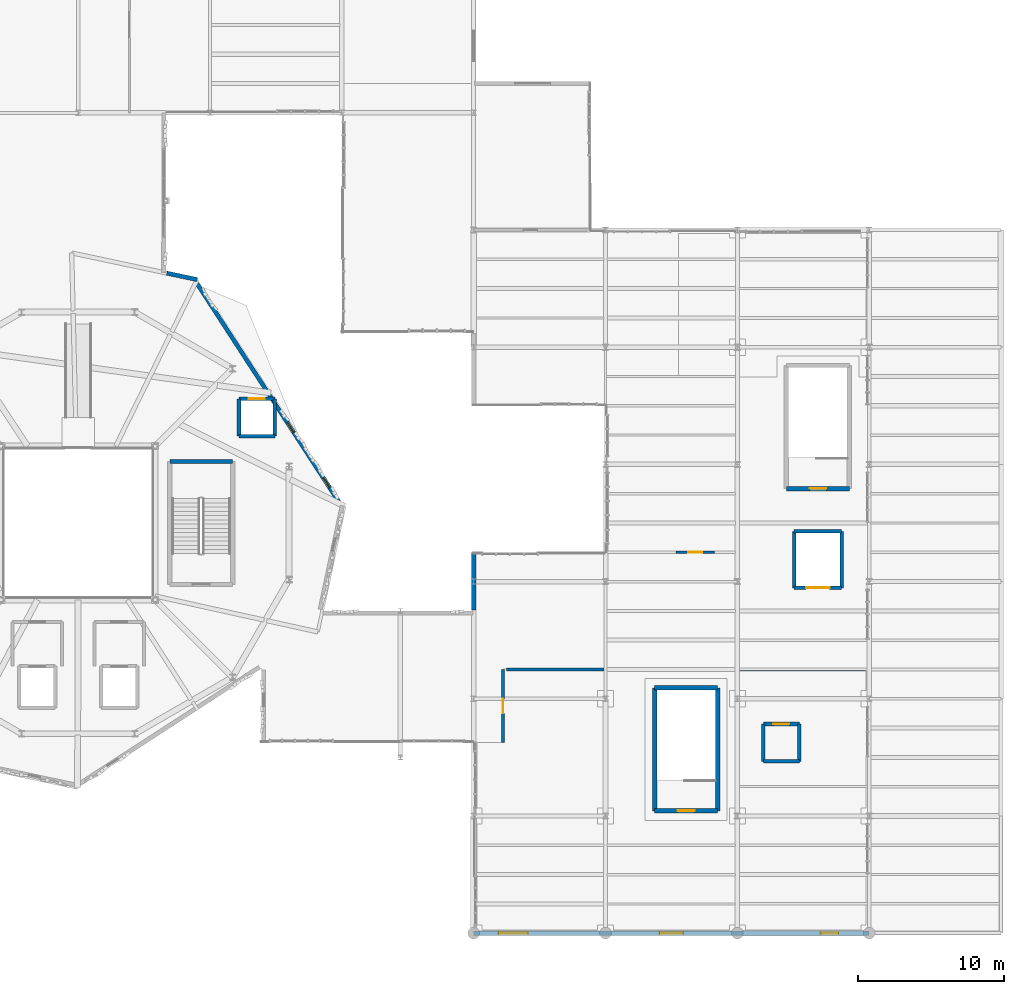
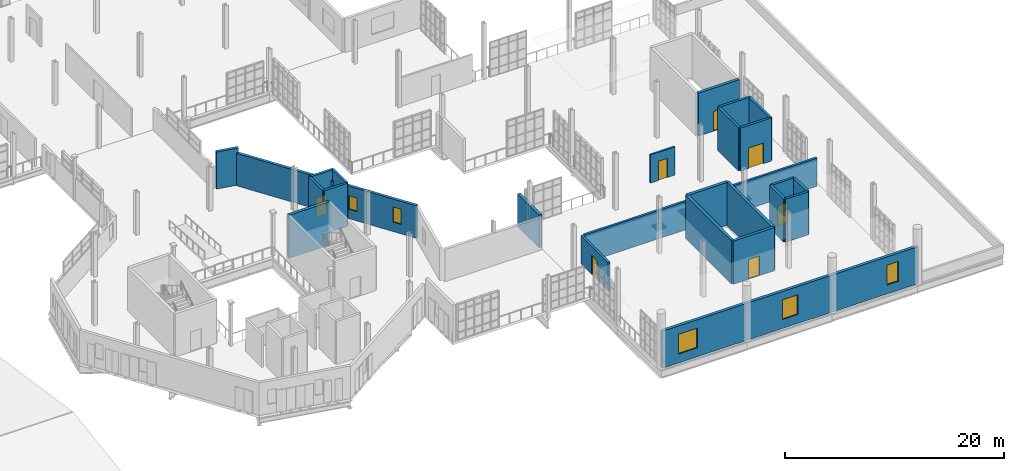
# One storey, part 104 of 118: 25 walls, 7 doors, 5 windows, 12 openings.
"""IFC4 building model written with IfcOpenShell, lengths in metres."""

from ifc_helpers import new_model, si_unit, direction, frame, frame_2d, origin, place, context, subcontext, project, spatial, rectangle, extrude, material, layer, layer_set, type_object, element, fill, save


model = new_model("IFC4")

# Units and contexts
model_context = context("Model", 3, precision=1e-05, world=origin(), true_north=direction((0.0, 1.0)))
body_context = subcontext(model_context, "Body", "Model", "MODEL_VIEW")
ifc_project = project(units=[si_unit("LENGTHUNIT", "METRE"), si_unit("AREAUNIT", "SQUARE_METRE"), si_unit("VOLUMEUNIT", "CUBIC_METRE"), si_unit("PLANEANGLEUNIT", "RADIAN"), si_unit("MASSUNIT", "GRAM", prefix="KILO"), si_unit("THERMODYNAMICTEMPERATUREUNIT", "KELVIN"), si_unit("POWERUNIT", "WATT")], contexts=[model_context])

# Site, building, storey
site_placement = place(None, origin())
site = spatial("IfcSite", under=ifc_project, at=site_placement, CompositionType="ELEMENT")
building_placement = place(site_placement, origin())
building = spatial("IfcBuilding", under=site, at=building_placement, Name="Zelmaris Science Centre", CompositionType="ELEMENT")
storey_placement = place(building_placement, frame((0.0, 0.0, 15.60009765625)))
storey = spatial("IfcBuildingStorey", under=building, at=storey_placement, Name="L03", CompositionType="ELEMENT", Elevation=15.60009765625)

# Wall
ifc_material_1 = material(Name="Concrete C40/50", Category="concrete")
ifc_layer_1 = layer(ifc_material_1, 0.300048828125, Name="Concrete C40/50")
ifc_layer_set_1 = layer_set([ifc_layer_1], Name="Concrete C40/50")
wall_type_1 = type_object("IfcWallType", Name="Core Shear Wall CW-S1 300mm", PredefinedType="SOLIDWALL", material=ifc_layer_set_1)
wall_1_placement = place(storey_placement, frame((91.550048828125, 40.199951171875, 0.0), z_axis=(0.0, 0.0, 1.0), x_axis=(-1.0, 0.0, 0.0)))
element("IfcWall", 1, at=wall_1_placement, inside=storey, type_object=wall_type_1, Name="L03 ST-2 core shear wall far", PredefinedType="SOLIDWALL", context=body_context, shape_type="SweptSolid", body=[
    extrude(rectangle(XDim=4.300048828125, YDim=0.300048828125, at=frame_2d((2.14990234375, 0.0))), origin(), (0.0, 0.0, 1.0), 4.7998046875),
])

# Wall, opening, door
wall_2_placement = place(storey_placement, frame((124.64990234375, 16.35009765625, 0.0), z_axis=(0.0, 0.0, 1.0), x_axis=(-1.0, 0.0, 0.0)))
wall_2 = element("IfcWall", 2, at=wall_2_placement, inside=storey, type_object=wall_type_1, Name="L03 ST-4 core shear wall near", PredefinedType="SOLIDWALL", context=body_context, shape_type="SweptSolid", body=[
    extrude(rectangle(XDim=4.2998046875, YDim=0.300048828125, at=frame_2d((2.14990234375, 0.0))), origin(), (0.0, 0.0, 1.0), 4.7998046875),
])
opening_1_placement = place(wall_2_placement, frame((1.574951171875, 0.0, 0.0)))
opening_1 = element("IfcOpeningElement", 3, at=opening_1_placement, cuts=wall_2, Name="Opening D-FD90", PredefinedType="OPENING", context=body_context, shape_type="SweptSolid", body=[
    extrude(rectangle(XDim=1.14990234375, YDim=2.199951171875, at=frame_2d((0.574951171875, 1.10009765625))), frame((0.0, 0.159912109375, 0.0), z_axis=(0.0, -1.0, 0.0), x_axis=(1.0, 0.0, 0.0)), (0.0, 0.0, 1.0), 0.320068359375),
])
ifc_material_2 = material(Name="Steel ASTM A36", Category="steel")
door_type_1 = type_object("IfcDoorType", Name="Interior Door D-FD90 1150x2200", OperationType="NOTDEFINED", PredefinedType="DOOR", material=ifc_material_2)
door_1_placement = place(opening_1_placement, origin())
door_1 = element("IfcDoor", 4, at=door_1_placement, inside=storey, type_object=door_type_1, Name="L03 ST-4 exit stair fire door", OperationType="SINGLE_SWING_RIGHT", OverallHeight=2.199951171875, OverallWidth=1.14990234375, PredefinedType="DOOR", context=body_context, shape_type="SweptSolid", body=[
    extrude(rectangle(XDim=1.14990234375, YDim=2.199951171875, at=frame_2d((0.574951171875, 1.10009765625))), frame((0.0, 0.02490234375, 0.0), z_axis=(0.0, -1.0, 0.0), x_axis=(1.0, 0.0, 0.0)), (0.0, 0.0, 1.0), 0.050048828125),
])
fill(opening_1, door_1)

# Walls
wall_3_placement = place(storey_placement, frame((124.64990234375, 16.35009765625, 0.0), z_axis=(0.0, 0.0, 1.0), x_axis=(0.0, 1.0, 0.0)))
element("IfcWall", 5, at=wall_3_placement, inside=storey, type_object=wall_type_1, Name="L03 ST-4 core shear wall east", PredefinedType="SOLIDWALL", context=body_context, shape_type="SweptSolid", body=[
    extrude(rectangle(XDim=8.39990234375, YDim=0.300048828125, at=frame_2d((4.199951171875, 0.0))), origin(), (0.0, 0.0, 1.0), 4.7998046875),
])
wall_4_placement = place(storey_placement, frame((124.64990234375, 24.75, 0.0), z_axis=(0.0, 0.0, 1.0), x_axis=(-1.0, 0.0, 0.0)))
element("IfcWall", 6, at=wall_4_placement, inside=storey, type_object=wall_type_1, Name="L03 ST-4 core shear wall far", PredefinedType="SOLIDWALL", context=body_context, shape_type="SweptSolid", body=[
    extrude(rectangle(XDim=4.2998046875, YDim=0.300048828125, at=frame_2d((2.14990234375, 0.0))), origin(), (0.0, 0.0, 1.0), 4.7998046875),
])
wall_5_placement = place(storey_placement, frame((120.35009765625, 16.35009765625, 0.0), z_axis=(0.0, 0.0, 1.0), x_axis=(0.0, 1.0, 0.0)))
element("IfcWall", 7, at=wall_5_placement, inside=storey, type_object=wall_type_1, Name="L03 ST-4 core shear wall west", PredefinedType="SOLIDWALL", context=body_context, shape_type="SweptSolid", body=[
    extrude(rectangle(XDim=8.39990234375, YDim=0.300048828125, at=frame_2d((4.199951171875, 0.0))), origin(), (0.0, 0.0, 1.0), 4.7998046875),
])

# Wall, opening, door
wall_6_placement = place(storey_placement, frame((133.64990234375, 38.35009765625, 0.0), z_axis=(0.0, 0.0, 1.0), x_axis=(-1.0, 0.0, 0.0)))
wall_6 = element("IfcWall", 8, at=wall_6_placement, inside=storey, type_object=wall_type_1, Name="L03 ST-5 core shear wall near", PredefinedType="SOLIDWALL", context=body_context, shape_type="SweptSolid", body=[
    extrude(rectangle(XDim=4.2998046875, YDim=0.300048828125, at=frame_2d((2.14990234375, 0.0))), origin(), (0.0, 0.0, 1.0), 4.7998046875),
])
opening_2_placement = place(wall_6_placement, frame((1.574951171875, 0.0, 0.0)))
opening_2 = element("IfcOpeningElement", 9, at=opening_2_placement, cuts=wall_6, Name="Opening D-FD90", PredefinedType="OPENING", context=body_context, shape_type="SweptSolid", body=[
    extrude(rectangle(XDim=1.14990234375, YDim=2.199951171875, at=frame_2d((0.574951171875, 1.10009765625))), frame((0.0, 0.159912109375, 0.0), z_axis=(0.0, -1.0, 0.0), x_axis=(1.0, 0.0, 0.0)), (0.0, 0.0, 1.0), 0.320068359375),
])
door_2_placement = place(opening_2_placement, origin())
door_2 = element("IfcDoor", 10, at=door_2_placement, inside=storey, type_object=door_type_1, Name="L03 ST-5 exit stair fire door", OperationType="SINGLE_SWING_LEFT", OverallHeight=2.199951171875, OverallWidth=1.14990234375, PredefinedType="DOOR", context=body_context, shape_type="SweptSolid", body=[
    extrude(rectangle(XDim=1.14990234375, YDim=2.199951171875, at=frame_2d((0.574951171875, 1.10009765625))), frame((0.0, 0.02490234375, 0.0), z_axis=(0.0, -1.0, 0.0), x_axis=(1.0, 0.0, 0.0)), (0.0, 0.0, 1.0), 0.050048828125),
])
fill(opening_2, door_2)

# Walls
ifc_layer_2 = layer(ifc_material_1, 0.25, Name="Concrete C40/50")
ifc_layer_set_2 = layer_set([ifc_layer_2], Name="Concrete C40/50")
wall_type_2 = type_object("IfcWallType", Name="Core Shear Wall CW-S2 250mm", PredefinedType="SOLIDWALL", material=ifc_layer_set_2)
wall_7_placement = place(storey_placement, frame((91.97509765625, 41.925048828125, 0.0), z_axis=(0.0, 0.0, 1.0), x_axis=(1.0, 0.0, 0.0)))
element("IfcWall", 11, at=wall_7_placement, inside=storey, type_object=wall_type_2, Name="L03 LP-01 lift shaft wall -y", PredefinedType="SOLIDWALL", context=body_context, shape_type="SweptSolid", body=[
    extrude(rectangle(XDim=2.449951171875, YDim=0.25, at=frame_2d((1.22509765625, 0.0))), origin(), (0.0, 0.0, 1.0), 4.7998046875),
])
wall_8_placement = place(storey_placement, frame((94.425048828125, 41.925048828125, 0.0), z_axis=(0.0, 0.0, 1.0), x_axis=(0.0, 1.0, 0.0)))
element("IfcWall", 12, at=wall_8_placement, inside=storey, type_object=wall_type_2, Name="L03 LP-01 lift shaft wall +x", PredefinedType="SOLIDWALL", context=body_context, shape_type="SweptSolid", body=[
    extrude(rectangle(XDim=2.550048828125, YDim=0.25, at=frame_2d((1.27490234375, 0.0))), origin(), (0.0, 0.0, 1.0), 4.7998046875),
])

# Wall, opening, door
wall_9_placement = place(storey_placement, frame((94.425048828125, 44.47509765625, 0.0), z_axis=(0.0, 0.0, 1.0), x_axis=(-1.0, 0.0, 0.0)))
wall_9 = element("IfcWall", 13, at=wall_9_placement, inside=storey, type_object=wall_type_2, Name="L03 LP-01 lift shaft wall +y", PredefinedType="SOLIDWALL", context=body_context, shape_type="SweptSolid", body=[
    extrude(rectangle(XDim=2.449951171875, YDim=0.25, at=frame_2d((1.22509765625, 0.0))), origin(), (0.0, 0.0, 1.0), 4.7998046875),
])
opening_3_placement = place(wall_9_placement, frame((0.675048828125, 0.0, 0.0)))
opening_3 = element("IfcOpeningElement", 14, at=opening_3_placement, cuts=wall_9, Name="Opening LD-01", PredefinedType="OPENING", context=body_context, shape_type="SweptSolid", body=[
    extrude(rectangle(XDim=1.10009765625, YDim=2.199951171875, at=frame_2d((0.550048828125, 1.10009765625))), frame((0.0, 0.135009765625, 0.0), z_axis=(0.0, -1.0, 0.0), x_axis=(1.0, 0.0, 0.0)), (0.0, 0.0, 1.0), 0.27001953125),
])
door_type_2 = type_object("IfcDoorType", Name="Interior Door LD-01 1100x2200", OperationType="SLIDING_TO_LEFT", PredefinedType="DOOR", material=ifc_material_2)
door_3_placement = place(opening_3_placement, origin())
door_3 = element("IfcDoor", 15, at=door_3_placement, inside=storey, type_object=door_type_2, Name="Landing door LD-LP-01-L03", OperationType="SLIDING_TO_LEFT", OverallHeight=2.199951171875, OverallWidth=1.10009765625, PredefinedType="DOOR", context=body_context, shape_type="SweptSolid", body=[
    extrude(rectangle(XDim=1.10009765625, YDim=2.199951171875, at=frame_2d((0.550048828125, 1.10009765625))), frame((0.0, 0.02490234375, 0.0), z_axis=(0.0, -1.0, 0.0), x_axis=(1.0, 0.0, 0.0)), (0.0, 0.0, 1.0), 0.050048828125),
])
fill(opening_3, door_3)

# Walls
wall_10_placement = place(storey_placement, frame((91.97509765625, 44.47509765625, 0.0), z_axis=(0.0, 0.0, 1.0), x_axis=(0.0, -1.0, 0.0)))
element("IfcWall", 16, at=wall_10_placement, inside=storey, type_object=wall_type_2, Name="L03 LP-01 lift shaft wall -x", PredefinedType="SOLIDWALL", context=body_context, shape_type="SweptSolid", body=[
    extrude(rectangle(XDim=2.550048828125, YDim=0.25, at=frame_2d((1.27490234375, 0.0))), origin(), (0.0, 0.0, 1.0), 4.7998046875),
])
wall_11_placement = place(storey_placement, frame((127.77490234375, 19.72509765625, 0.0), z_axis=(0.0, 0.0, 1.0), x_axis=(1.0, 0.0, 0.0)))
element("IfcWall", 17, at=wall_11_placement, inside=storey, type_object=wall_type_2, Name="L03 LP-02 lift shaft wall -y", PredefinedType="SOLIDWALL", context=body_context, shape_type="SweptSolid", body=[
    extrude(rectangle(XDim=2.4501953125, YDim=0.25, at=frame_2d((1.22509765625, 0.0))), origin(), (0.0, 0.0, 1.0), 4.7998046875),
])
wall_12_placement = place(storey_placement, frame((130.22509765625, 19.72509765625, 0.0), z_axis=(0.0, 0.0, 1.0), x_axis=(0.0, 1.0, 0.0)))
element("IfcWall", 18, at=wall_12_placement, inside=storey, type_object=wall_type_2, Name="L03 LP-02 lift shaft wall +x", PredefinedType="SOLIDWALL", context=body_context, shape_type="SweptSolid", body=[
    extrude(rectangle(XDim=2.5498046875, YDim=0.25, at=frame_2d((1.27490234375, 0.0))), origin(), (0.0, 0.0, 1.0), 4.7998046875),
])

# Wall, opening, door
wall_13_placement = place(storey_placement, frame((130.22509765625, 22.27490234375, 0.0), z_axis=(0.0, 0.0, 1.0), x_axis=(-1.0, 0.0, 0.0)))
wall_13 = element("IfcWall", 19, at=wall_13_placement, inside=storey, type_object=wall_type_2, Name="L03 LP-02 lift shaft wall +y", PredefinedType="SOLIDWALL", context=body_context, shape_type="SweptSolid", body=[
    extrude(rectangle(XDim=2.4501953125, YDim=0.25, at=frame_2d((1.22509765625, 0.0))), origin(), (0.0, 0.0, 1.0), 4.7998046875),
])
opening_4_placement = place(wall_13_placement, frame((0.675048828125, 0.0, 0.0)))
opening_4 = element("IfcOpeningElement", 20, at=opening_4_placement, cuts=wall_13, Name="Opening LD-01", PredefinedType="OPENING", context=body_context, shape_type="SweptSolid", body=[
    extrude(rectangle(XDim=1.10009765625, YDim=2.199951171875, at=frame_2d((0.550048828125, 1.10009765625))), frame((0.0, 0.135009765625, 0.0), z_axis=(0.0, -1.0, 0.0), x_axis=(1.0, 0.0, 0.0)), (0.0, 0.0, 1.0), 0.27001953125),
])
door_4_placement = place(opening_4_placement, origin())
door_4 = element("IfcDoor", 21, at=door_4_placement, inside=storey, type_object=door_type_2, Name="Landing door LD-LP-02-L03", OperationType="SLIDING_TO_LEFT", OverallHeight=2.199951171875, OverallWidth=1.10009765625, PredefinedType="DOOR", context=body_context, shape_type="SweptSolid", body=[
    extrude(rectangle(XDim=1.10009765625, YDim=2.199951171875, at=frame_2d((0.550048828125, 1.10009765625))), frame((0.0, 0.02490234375, 0.0), z_axis=(0.0, -1.0, 0.0), x_axis=(1.0, 0.0, 0.0)), (0.0, 0.0, 1.0), 0.050048828125),
])
fill(opening_4, door_4)

# Wall
wall_14_placement = place(storey_placement, frame((127.77490234375, 22.27490234375, 0.0), z_axis=(0.0, 0.0, 1.0), x_axis=(0.0, -1.0, 0.0)))
element("IfcWall", 22, at=wall_14_placement, inside=storey, type_object=wall_type_2, Name="L03 LP-02 lift shaft wall -x", PredefinedType="SOLIDWALL", context=body_context, shape_type="SweptSolid", body=[
    extrude(rectangle(XDim=2.5498046875, YDim=0.25, at=frame_2d((1.27490234375, 0.0))), origin(), (0.0, 0.0, 1.0), 4.7998046875),
])

# Wall, opening, door
wall_15_placement = place(storey_placement, frame((129.875, 31.574951171875, 0.0), z_axis=(0.0, 0.0, 1.0), x_axis=(1.0, 0.0, 0.0)))
wall_15 = element("IfcWall", 23, at=wall_15_placement, inside=storey, type_object=wall_type_2, Name="L03 GL-01 lift shaft wall -y", PredefinedType="SOLIDWALL", context=body_context, shape_type="SweptSolid", body=[
    extrude(rectangle(XDim=3.25, YDim=0.25, at=frame_2d((1.625, 0.0))), origin(), (0.0, 0.0, 1.0), 4.7998046875),
])
opening_5_placement = place(wall_15_placement, frame((0.824951171875, 0.0, 0.0)))
opening_5 = element("IfcOpeningElement", 24, at=opening_5_placement, cuts=wall_15, Name="Opening LD-02", PredefinedType="OPENING", context=body_context, shape_type="SweptSolid", body=[
    extrude(rectangle(XDim=1.60009765625, YDim=2.300048828125, at=frame_2d((0.800048828125, 1.14990234375))), frame((0.0, 0.135009765625, 0.0), z_axis=(0.0, -1.0, 0.0), x_axis=(1.0, 0.0, 0.0)), (0.0, 0.0, 1.0), 0.27001953125),
])
door_type_3 = type_object("IfcDoorType", Name="Interior Door LD-02 1600x2300", OperationType="SLIDING_TO_LEFT", PredefinedType="DOOR", material=ifc_material_2)
door_5_placement = place(opening_5_placement, origin())
door_5 = element("IfcDoor", 25, at=door_5_placement, inside=storey, type_object=door_type_3, Name="Landing door LD-GL-01-L03", OperationType="SLIDING_TO_LEFT", OverallHeight=2.300048828125, OverallWidth=1.60009765625, PredefinedType="DOOR", context=body_context, shape_type="SweptSolid", body=[
    extrude(rectangle(XDim=1.60009765625, YDim=2.300048828125, at=frame_2d((0.800048828125, 1.14990234375))), frame((0.0, 0.02490234375, 0.0), z_axis=(0.0, -1.0, 0.0), x_axis=(1.0, 0.0, 0.0)), (0.0, 0.0, 1.0), 0.050048828125),
])
fill(opening_5, door_5)

# Walls
wall_16_placement = place(storey_placement, frame((133.125, 31.574951171875, 0.0), z_axis=(0.0, 0.0, 1.0), x_axis=(0.0, 1.0, 0.0)))
element("IfcWall", 26, at=wall_16_placement, inside=storey, type_object=wall_type_2, Name="L03 GL-01 lift shaft wall +x", PredefinedType="SOLIDWALL", context=body_context, shape_type="SweptSolid", body=[
    extrude(rectangle(XDim=3.85009765625, YDim=0.25, at=frame_2d((1.925048828125, 0.0))), origin(), (0.0, 0.0, 1.0), 4.7998046875),
])
wall_17_placement = place(storey_placement, frame((133.125, 35.425048828125, 0.0), z_axis=(0.0, 0.0, 1.0), x_axis=(-1.0, 0.0, 0.0)))
element("IfcWall", 27, at=wall_17_placement, inside=storey, type_object=wall_type_2, Name="L03 GL-01 lift shaft wall +y", PredefinedType="SOLIDWALL", context=body_context, shape_type="SweptSolid", body=[
    extrude(rectangle(XDim=3.25, YDim=0.25, at=frame_2d((1.625, 0.0))), origin(), (0.0, 0.0, 1.0), 4.7998046875),
])
wall_18_placement = place(storey_placement, frame((129.875, 35.425048828125, 0.0), z_axis=(0.0, 0.0, 1.0), x_axis=(0.0, -1.0, 0.0)))
element("IfcWall", 28, at=wall_18_placement, inside=storey, type_object=wall_type_2, Name="L03 GL-01 lift shaft wall -x", PredefinedType="SOLIDWALL", context=body_context, shape_type="SweptSolid", body=[
    extrude(rectangle(XDim=3.85009765625, YDim=0.25, at=frame_2d((1.925048828125, 0.0))), origin(), (0.0, 0.0, 1.0), 4.7998046875),
])

# Wall, openings, windows
ifc_material_3 = material(Name="Precast concrete C40/50", Category="concrete")
ifc_layer_3 = layer(ifc_material_3, 0.300048828125, Name="Precast concrete C40/50")
ifc_layer_set_3 = layer_set([ifc_layer_3], Name="Precast concrete C40/50")
wall_type_3 = type_object("IfcWallType", Name="Exterior Wall EW-04 300mm", PredefinedType="SOLIDWALL", material=ifc_layer_set_3)
wall_19_placement = place(storey_placement, frame((135.0, 8.0, 0.0), z_axis=(0.0, 0.0, 1.0), x_axis=(-1.0, 0.0, 0.0)))
wall_19 = element("IfcWall", 29, at=wall_19_placement, inside=storey, type_object=wall_type_3, Name="L03 Exterior wall 122", PredefinedType="SOLIDWALL", context=body_context, shape_type="SweptSolid", body=[
    extrude(rectangle(XDim=27.0, YDim=0.300048828125, at=frame_2d((13.5, 0.0))), origin(), (0.0, 0.0, 1.0), 4.1298828125),
])
opening_6_placement = place(wall_19_placement, frame((2.10009765625, 0.0, 1.0)))
opening_6 = element("IfcOpeningElement", 30, at=opening_6_placement, cuts=wall_19, Name="Opening W-06", PredefinedType="OPENING", context=body_context, shape_type="SweptSolid", body=[
    extrude(rectangle(XDim=1.199951171875, YDim=2.199951171875, at=frame_2d((0.60009765625, 1.10009765625))), frame((0.0, 0.159912109375, 0.0), z_axis=(0.0, -1.0, 0.0), x_axis=(1.0, 0.0, 0.0)), (0.0, 0.0, 1.0), 0.320068359375),
])
opening_7_placement = place(wall_19_placement, frame((12.699951171875, 0.0, 1.0)))
opening_7 = element("IfcOpeningElement", 31, at=opening_7_placement, cuts=wall_19, Name="Opening W-07", PredefinedType="OPENING", context=body_context, shape_type="SweptSolid", body=[
    extrude(rectangle(XDim=1.60009765625, YDim=2.199951171875, at=frame_2d((0.800048828125, 1.10009765625))), frame((0.0, 0.159912109375, 0.0), z_axis=(0.0, -1.0, 0.0), x_axis=(1.0, 0.0, 0.0)), (0.0, 0.0, 1.0), 0.320068359375),
])
opening_8_placement = place(wall_19_placement, frame((23.2998046875, 0.0, 1.0)))
opening_8 = element("IfcOpeningElement", 32, at=opening_8_placement, cuts=wall_19, Name="Opening W-08", PredefinedType="OPENING", context=body_context, shape_type="SweptSolid", body=[
    extrude(rectangle(XDim=2.0, YDim=2.199951171875, at=frame_2d((1.0, 1.10009765625))), frame((0.0, 0.159912109375, 0.0), z_axis=(0.0, -1.0, 0.0), x_axis=(1.0, 0.0, 0.0)), (0.0, 0.0, 1.0), 0.320068359375),
])
ifc_material_4 = material(Name="Laminated hurricane-rated low-E insulated glazing", Category="glass")
window_type_1 = type_object("IfcWindowType", Name="Window W-06 1200x2200", PartitioningType="SINGLE_PANEL", PredefinedType="WINDOW", material=ifc_material_4)
window_1_placement = place(opening_6_placement, origin())
window_1 = element("IfcWindow", 33, at=window_1_placement, inside=storey, type_object=window_type_1, Name="L03 Facade window 78", OverallHeight=2.199951171875, OverallWidth=1.199951171875, PartitioningType="SINGLE_PANEL", PredefinedType="WINDOW", context=body_context, shape_type="SweptSolid", body=[
    extrude(rectangle(XDim=1.199951171875, YDim=2.199951171875, at=frame_2d((0.60009765625, 1.10009765625))), frame((0.0, 0.030029296875, 0.0), z_axis=(0.0, -1.0, 0.0), x_axis=(1.0, 0.0, 0.0)), (0.0, 0.0, 1.0), 0.06005859375),
])
fill(opening_6, window_1)
window_type_2 = type_object("IfcWindowType", Name="Window W-07 1600x2200", PartitioningType="SINGLE_PANEL", PredefinedType="WINDOW", material=ifc_material_4)
window_2_placement = place(opening_7_placement, origin())
window_2 = element("IfcWindow", 34, at=window_2_placement, inside=storey, type_object=window_type_2, Name="L03 Facade window 79", OverallHeight=2.199951171875, OverallWidth=1.60009765625, PartitioningType="SINGLE_PANEL", PredefinedType="WINDOW", context=body_context, shape_type="SweptSolid", body=[
    extrude(rectangle(XDim=1.60009765625, YDim=2.199951171875, at=frame_2d((0.800048828125, 1.10009765625))), frame((0.0, 0.030029296875, 0.0), z_axis=(0.0, -1.0, 0.0), x_axis=(1.0, 0.0, 0.0)), (0.0, 0.0, 1.0), 0.06005859375),
])
fill(opening_7, window_2)
window_type_3 = type_object("IfcWindowType", Name="Window W-08 2000x2200", PartitioningType="SINGLE_PANEL", PredefinedType="WINDOW", material=ifc_material_4)
window_3_placement = place(opening_8_placement, origin())
window_3 = element("IfcWindow", 35, at=window_3_placement, inside=storey, type_object=window_type_3, Name="L03 Facade window 80", OverallHeight=2.199951171875, OverallWidth=2.0, PartitioningType="SINGLE_PANEL", PredefinedType="WINDOW", context=body_context, shape_type="SweptSolid", body=[
    extrude(rectangle(XDim=2.0, YDim=2.199951171875, at=frame_2d((1.0, 1.10009765625))), frame((0.0, 0.030029296875, 0.0), z_axis=(0.0, -1.0, 0.0), x_axis=(1.0, 0.0, 0.0)), (0.0, 0.0, 1.0), 0.06005859375),
])
fill(opening_8, window_3)

# Wall
wall_20_placement = place(storey_placement, frame((108.0, 30.06005859375, 0.0), z_axis=(0.0, 0.0, 1.0), x_axis=(0.0, 1.0, 0.0)))
element("IfcWall", 36, at=wall_20_placement, inside=storey, type_object=wall_type_3, Name="L03 Exterior wall 134", PredefinedType="SOLIDWALL", context=body_context, shape_type="SweptSolid", body=[
    extrude(rectangle(XDim=3.93994140625, YDim=0.300048828125, at=frame_2d((1.969970703125, 0.0))), origin(), (0.0, 0.0, 1.0), 3.663818359375),
])

# Wall, openings, windows
ifc_layer_4 = layer(ifc_material_3, 0.280029296875, Name="Precast concrete C40/50")
ifc_layer_set_4 = layer_set([ifc_layer_4], Name="Precast concrete C40/50")
wall_type_4 = type_object("IfcWallType", Name="Exterior Wall EW-05 280mm", PredefinedType="SOLIDWALL", material=ifc_layer_set_4)
wall_21_placement = place(storey_placement, frame((88.99658203125, 52.526611328125, 0.0), z_axis=(0.0, 0.0, 1.0), x_axis=(0.544625508959, -0.838679351714, 0.0)))
wall_21 = element("IfcWall", 37, at=wall_21_placement, inside=storey, type_object=wall_type_4, Name="L03 Exterior wall 131", PredefinedType="SOLIDWALL", context=body_context, shape_type="SweptSolid", body=[
    extrude(rectangle(XDim=18.449951171875, YDim=0.280029296875, at=frame_2d((9.22509765625, 0.0))), origin(), (0.0, 0.0, 1.0), 3.62890625),
])
opening_9_placement = place(wall_21_placement, frame((11.52490234375, 0.0, 1.050048828125)))
opening_9 = element("IfcOpeningElement", 38, at=opening_9_placement, cuts=wall_21, Name="Opening W-TR1", PredefinedType="OPENING", context=body_context, shape_type="SweptSolid", body=[
    extrude(rectangle(XDim=0.800048828125, YDim=1.5, at=frame_2d((0.39990234375, 0.75))), frame((0.0, 0.14990234375, 0.0), z_axis=(0.0, -1.0, 0.0), x_axis=(1.0, 0.0, 0.0)), (0.0, 0.0, 1.0), 0.300048828125),
])
opening_10_placement = place(wall_21_placement, frame((16.02490234375, 0.0, 1.050048828125)))
opening_10 = element("IfcOpeningElement", 39, at=opening_10_placement, cuts=wall_21, Name="Opening W-TR2", PredefinedType="OPENING", context=body_context, shape_type="SweptSolid", body=[
    extrude(rectangle(XDim=0.800048828125, YDim=1.699951171875, at=frame_2d((0.39990234375, 0.85009765625))), frame((0.0, 0.14990234375, 0.0), z_axis=(0.0, -1.0, 0.0), x_axis=(1.0, 0.0, 0.0)), (0.0, 0.0, 1.0), 0.300048828125),
])
window_type_4 = type_object("IfcWindowType", Name="Window W-TR1 800x1500", PartitioningType="SINGLE_PANEL", PredefinedType="WINDOW", material=ifc_material_4)
window_4_placement = place(opening_9_placement, origin())
window_4 = element("IfcWindow", 40, at=window_4_placement, inside=storey, type_object=window_type_4, Name="L03 Triangular faceted window 91", OverallHeight=1.5, OverallWidth=0.800048828125, PartitioningType="SINGLE_PANEL", PredefinedType="WINDOW", context=body_context, shape_type="SweptSolid", body=[
    extrude(rectangle(XDim=0.800048828125, YDim=1.5, at=frame_2d((0.39990234375, 0.75))), frame((0.0, 0.030029296875, 0.0), z_axis=(0.0, -1.0, 0.0), x_axis=(1.0, 0.0, 0.0)), (0.0, 0.0, 1.0), 0.06005859375),
])
fill(opening_9, window_4)
window_type_5 = type_object("IfcWindowType", Name="Window W-TR2 800x1700", PartitioningType="SINGLE_PANEL", PredefinedType="WINDOW", material=ifc_material_4)
window_5_placement = place(opening_10_placement, origin())
window_5 = element("IfcWindow", 41, at=window_5_placement, inside=storey, type_object=window_type_5, Name="L03 Triangular faceted window 92", OverallHeight=1.699951171875, OverallWidth=0.800048828125, PartitioningType="SINGLE_PANEL", PredefinedType="WINDOW", context=body_context, shape_type="SweptSolid", body=[
    extrude(rectangle(XDim=0.800048828125, YDim=1.699951171875, at=frame_2d((0.39990234375, 0.85009765625))), frame((0.0, 0.030029296875, 0.0), z_axis=(0.0, -1.0, 0.0), x_axis=(1.0, 0.0, 0.0)), (0.0, 0.0, 1.0), 0.06005859375),
])
fill(opening_10, window_5)

# Wall
ifc_layer_5 = layer(ifc_material_3, 0.2900390625, Name="Precast concrete C40/50")
ifc_layer_set_5 = layer_set([ifc_layer_5], Name="Precast concrete C40/50")
wall_type_5 = type_object("IfcWallType", Name="Exterior Wall EW-09 290mm", PredefinedType="SOLIDWALL", material=ifc_layer_set_5)
wall_22_placement = place(storey_placement, frame((87.047607421875, 53.056396484375, 0.0), z_axis=(0.0, 0.0, 1.0), x_axis=(0.978141659003, -0.207939642498, 0.0)))
element("IfcWall", 42, at=wall_22_placement, inside=storey, type_object=wall_type_5, Name="L03 Exterior wall 137", PredefinedType="SOLIDWALL", context=body_context, shape_type="SweptSolid", body=[
    extrude(rectangle(XDim=2.1298828125, YDim=0.2900390625, at=frame_2d((1.06494140625, 0.0))), origin(), (0.0, 0.0, 1.0), 4.1298828125),
])

# Wall, opening, door
ifc_material_5 = material(Name="Autoclaved aerated concrete blockwork", Category="masonry")
ifc_layer_6 = layer(ifc_material_5, 0.219970703125, Name="Autoclaved aerated concrete blockwork")
ifc_layer_set_6 = layer_set([ifc_layer_6], Name="Autoclaved aerated concrete blockwork")
wall_type_6 = type_object("IfcWallType", Name="Interior Wall FW-02 220mm", PredefinedType="SOLIDWALL", material=ifc_layer_set_6)
wall_23_placement = place(storey_placement, frame((110.0048828125, 20.99853515625, 0.0), z_axis=(0.0, 0.0, 1.0), x_axis=(0.0, 1.0, 0.0)))
wall_23 = element("IfcWall", 43, at=wall_23_placement, inside=storey, type_object=wall_type_6, Name="L03 Atmospheric and Hurricane Environmental Laboratory partition 59", PredefinedType="SOLIDWALL", context=body_context, shape_type="SweptSolid", body=[
    extrude(rectangle(XDim=5.00146484375, YDim=0.219970703125, at=frame_2d((2.500732421875, 0.0))), origin(), (0.0, 0.0, 1.0), 3.14990234375),
])
opening_11_placement = place(wall_23_placement, frame((2.000732421875, 0.0, 0.0)))
opening_11 = element("IfcOpeningElement", 44, at=opening_11_placement, cuts=wall_23, Name="Opening D-IN1", PredefinedType="OPENING", context=body_context, shape_type="SweptSolid", body=[
    extrude(rectangle(XDim=1.0, YDim=2.14990234375, at=frame_2d((0.5, 1.074951171875))), frame((0.0, 0.119873046875, 0.0), z_axis=(0.0, -1.0, 0.0), x_axis=(1.0, 0.0, 0.0)), (0.0, 0.0, 1.0), 0.239990234375),
])
ifc_material_6 = material(Name="Solid tropical tzalam hardwood", Category="wood")
door_type_4 = type_object("IfcDoorType", Name="Interior Door D-IN1 1000x2150", OperationType="NOTDEFINED", PredefinedType="DOOR", material=ifc_material_6)
door_6_placement = place(opening_11_placement, origin())
door_6 = element("IfcDoor", 45, at=door_6_placement, inside=storey, type_object=door_type_4, Name="L03 Atmospheric and Hurricane Environmental Laboratory door", OperationType="SINGLE_SWING_RIGHT", OverallHeight=2.14990234375, OverallWidth=1.0, PredefinedType="DOOR", context=body_context, shape_type="SweptSolid", body=[
    extrude(rectangle(XDim=1.0, YDim=2.14990234375, at=frame_2d((0.5, 1.074951171875))), frame((0.0, 0.02490234375, 0.0), z_axis=(0.0, -1.0, 0.0), x_axis=(1.0, 0.0, 0.0)), (0.0, 0.0, 1.0), 0.050048828125),
])
fill(opening_11, door_6)

# Wall
wall_24_placement = place(storey_placement, frame((110.22509765625, 26.0, 0.0), z_axis=(0.0, 0.0, 1.0), x_axis=(1.0, 0.0, 0.0)))
element("IfcWall", 46, at=wall_24_placement, inside=storey, type_object=wall_type_6, Name="L03 Atmospheric and Hurricane Environmental Laboratory partition 60", PredefinedType="SOLIDWALL", context=body_context, shape_type="SweptSolid", body=[
    extrude(rectangle(XDim=24.52490234375, YDim=0.219970703125, at=frame_2d((12.262451171875, 0.0))), origin(), (0.0, 0.0, 1.0), 3.14990234375),
])

# Wall, opening, door
ifc_layer_7 = layer(ifc_material_5, 0.179931640625, Name="Autoclaved aerated concrete blockwork")
ifc_layer_set_7 = layer_set([ifc_layer_7], Name="Autoclaved aerated concrete blockwork")
wall_type_7 = type_object("IfcWallType", Name="Interior Wall PT-04 180mm", PredefinedType="PARTITIONING", material=ifc_layer_set_7)
wall_25_placement = place(storey_placement, frame((124.425048828125, 34.0048828125, 0.0), z_axis=(0.0, 0.0, 1.0), x_axis=(-1.0, 0.0, 0.0)))
wall_25 = element("IfcWall", 47, at=wall_25_placement, inside=storey, type_object=wall_type_7, Name="L03 L03 Public WC entrance partition 66", PredefinedType="PARTITIONING", context=body_context, shape_type="SweptSolid", body=[
    extrude(rectangle(XDim=2.60009765625, YDim=0.179931640625, at=frame_2d((1.300048828125, 0.0))), origin(), (0.0, 0.0, 1.0), 3.14990234375),
])
opening_12_placement = place(wall_25_placement, frame((0.824951171875, 0.0, 0.0)))
opening_12 = element("IfcOpeningElement", 48, at=opening_12_placement, cuts=wall_25, Name="Opening D-IN2", PredefinedType="OPENING", context=body_context, shape_type="SweptSolid", body=[
    extrude(rectangle(XDim=0.949951171875, YDim=2.14990234375, at=frame_2d((0.47509765625, 1.074951171875))), frame((0.0, 0.099853515625, 0.0), z_axis=(0.0, -1.0, 0.0), x_axis=(1.0, 0.0, 0.0)), (0.0, 0.0, 1.0), 0.199951171875),
])
door_type_5 = type_object("IfcDoorType", Name="Interior Door D-IN2 950x2150", OperationType="NOTDEFINED", PredefinedType="DOOR", material=ifc_material_6)
door_7_placement = place(opening_12_placement, origin())
door_7 = element("IfcDoor", 49, at=door_7_placement, inside=storey, type_object=door_type_5, Name="L03 L03 Public WC door", OperationType="SINGLE_SWING_LEFT", OverallHeight=2.14990234375, OverallWidth=0.949951171875, PredefinedType="DOOR", context=body_context, shape_type="SweptSolid", body=[
    extrude(rectangle(XDim=0.949951171875, YDim=2.14990234375, at=frame_2d((0.47509765625, 1.074951171875))), frame((0.0, 0.02490234375, 0.0), z_axis=(0.0, -1.0, 0.0), x_axis=(1.0, 0.0, 0.0)), (0.0, 0.0, 1.0), 0.050048828125),
])
fill(opening_12, door_7)

save(model, "model.ifc")
